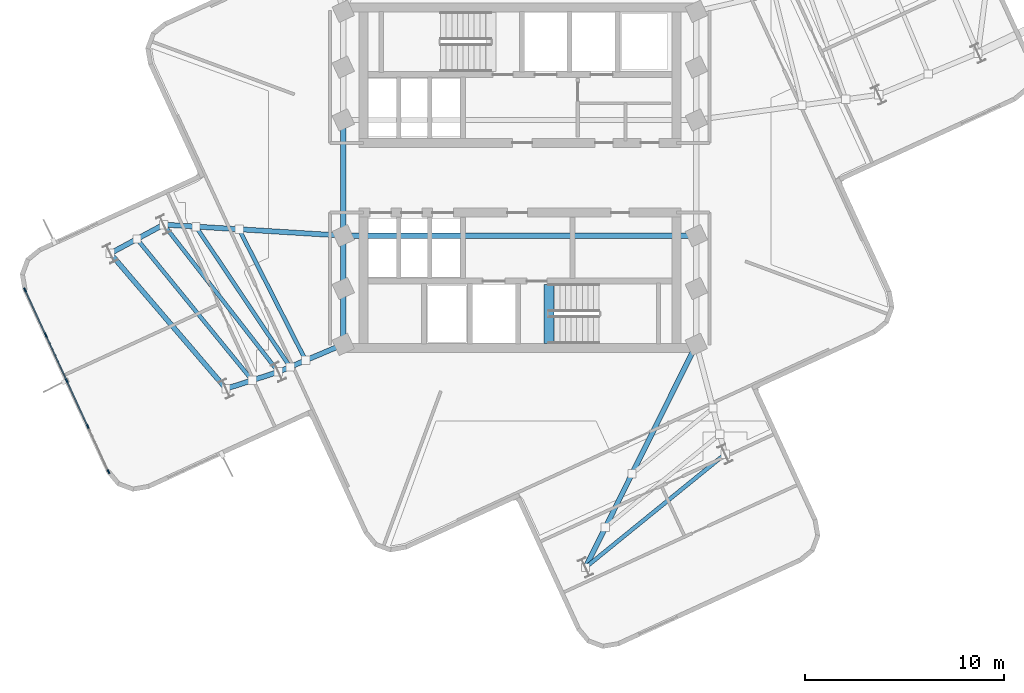
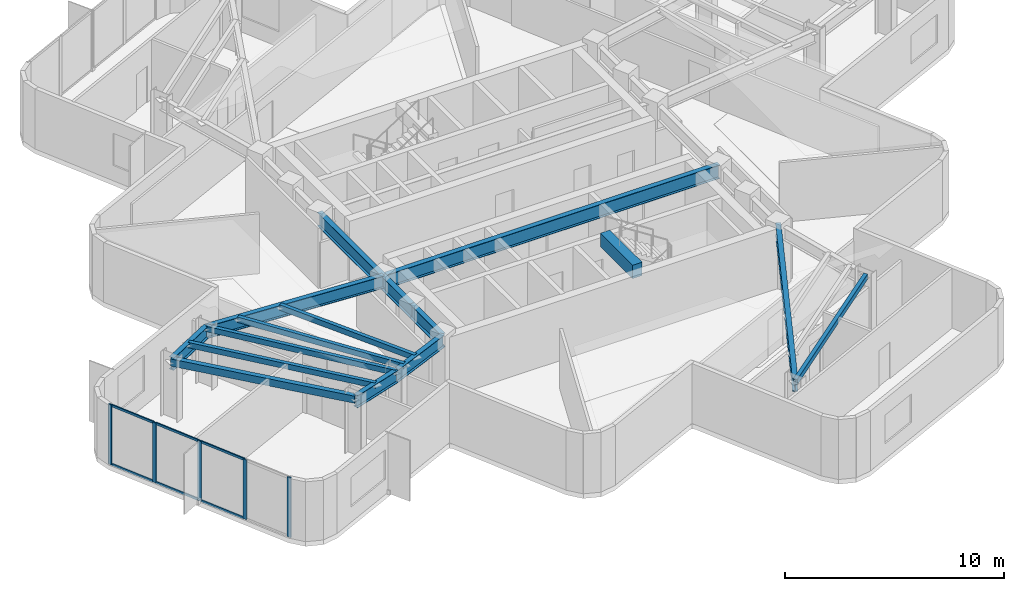
# One storey, part 2 of 11: 16 beams, 11 members, 1 element without a shape of its own.
"""IFC4 building model written with IfcOpenShell, lengths in metres."""

from ifc_helpers import new_model, si_unit, direction, frame, origin, origin_2d, place, context, subcontext, project, spatial, rectangle, hollow_rectangle, i_section, extrude, material, layer, layer_set, material_profile, profile_set, type_object, element, aggregate, save


model = new_model("IFC4")

# Units and contexts
model_context = context("Model", 3, precision=1e-05, world=origin(), true_north=direction((0.0, 1.0)))
body_context = subcontext(model_context, "Body", "Model", "MODEL_VIEW")
ifc_project = project(units=[si_unit("LENGTHUNIT", "METRE"), si_unit("AREAUNIT", "SQUARE_METRE"), si_unit("VOLUMEUNIT", "CUBIC_METRE"), si_unit("PLANEANGLEUNIT", "RADIAN"), si_unit("MASSUNIT", "GRAM", prefix="KILO")], contexts=[model_context])

# Site, building, storey
site_placement = place(None, origin())
site = spatial("IfcSite", under=ifc_project, at=site_placement, CompositionType="ELEMENT")
building_placement = place(site_placement, origin())
building = spatial("IfcBuilding", under=site, at=building_placement, Name="Solmarez Civic Tower", CompositionType="ELEMENT")
storey_placement = place(building_placement, frame((0.0, 0.0, 184.679931640625)))
storey = spatial("IfcBuildingStorey", under=building, at=storey_placement, Name="L49", CompositionType="ELEMENT", Elevation=184.679931640625)

# Beams
ifc_material_1 = material(Name="Steel S355", Category="steel")
ifc_material_profile_1 = material_profile(ifc_material_1, hollow_rectangle(XDim=0.199951171875, YDim=0.300048828125, WallThickness=0.011962890625, at=origin_2d()), Name="HSS300X200X12")
ifc_profile_set_1 = profile_set([ifc_material_profile_1], Name="Steel S355")
beam_type_1 = type_object("IfcBeamType", Name="BM-JS-HSS300X200", PredefinedType="JOIST", material=ifc_profile_set_1)
beam_1_placement = place(storey_placement, frame((-17.85791015625, -2.345947265625, 3.190185546875), z_axis=(0.614476744631, -0.788934934141, 0.0), x_axis=(0.788934934141, 0.614476744631, 0.0)))
element("IfcBeam", 1, at=beam_1_placement, inside=storey, type_object=beam_type_1, Name="L49 Secondary Floor Joist BM-L49-WA-T1", PredefinedType="JOIST", context=body_context, shape_type="SweptSolid", body=[
    extrude(hollow_rectangle(XDim=0.199951171875, YDim=0.300048828125, WallThickness=0.011962890625, at=origin_2d()), origin(), (0.0, 0.0, 1.0), 9.36083984375),
])
beam_2_placement = place(storey_placement, frame((-19.197021484375, -3.06689453125, 3.190185546875), z_axis=(0.632062174253, -0.77491767813, 0.0), x_axis=(0.77491767813, 0.632062174253, 0.0)))
element("IfcBeam", 2, at=beam_2_placement, inside=storey, type_object=beam_type_1, Name="L49 Secondary Floor Joist JS-L49-WA-M2", PredefinedType="JOIST", context=body_context, shape_type="SweptSolid", body=[
    extrude(hollow_rectangle(XDim=0.199951171875, YDim=0.300048828125, WallThickness=0.011962890625, at=origin_2d()), origin(), (0.0, 0.0, 1.0), 9.14306640625),
])
beam_3_placement = place(storey_placement, frame((-14.074951171875, -2.5791015625, 3.190185546875), z_axis=(0.452743410654, -0.891640849282, 0.0), x_axis=(0.891640849282, 0.452743410654, 0.0)))
element("IfcBeam", 3, at=beam_3_placement, inside=storey, type_object=beam_type_1, Name="L49 Secondary Floor Joist JS-L49-WA-M11", PredefinedType="JOIST", context=body_context, shape_type="SweptSolid", body=[
    extrude(hollow_rectangle(XDim=0.199951171875, YDim=0.300048828125, WallThickness=0.011962890625, at=origin_2d()), origin(), (0.0, 0.0, 1.0), 7.370361328125),
])
beam_4_placement = place(storey_placement, frame((-16.237060546875, -2.446044921875, 3.190185546875), z_axis=(0.556859935783, -0.830606412159, 0.0), x_axis=(0.830606412159, 0.556859935783, 0.0)))
element("IfcBeam", 4, at=beam_4_placement, inside=storey, type_object=beam_type_1, Name="L49 Secondary Floor Joist JS-L49-WA-M12", PredefinedType="JOIST", context=body_context, shape_type="SweptSolid", body=[
    extrude(hollow_rectangle(XDim=0.199951171875, YDim=0.300048828125, WallThickness=0.011962890625, at=origin_2d()), origin(), (0.0, 0.0, 1.0), 8.470703125),
])
beam_5_placement = place(storey_placement, frame((3.2900390625, -19.535888671875, 3.190185546875), z_axis=(0.776206737012, 0.630478470225, 0.0), x_axis=(-0.630478470225, 0.776206737012, 0.0)))
element("IfcBeam", 5, at=beam_5_placement, inside=storey, type_object=beam_type_1, Name="L49 Secondary Floor Joist BM-L49-SA-T1", PredefinedType="JOIST", context=body_context, shape_type="SweptSolid", body=[
    extrude(hollow_rectangle(XDim=0.199951171875, YDim=0.300048828125, WallThickness=0.011962890625, at=origin_2d()), origin(), (0.0, 0.0, 1.0), 9.018310546875),
])
ifc_material_2 = material(Name="Concrete C50/60", Category="concrete")
ifc_material_profile_2 = material_profile(ifc_material_2, rectangle(XDim=0.5, YDim=0.75, at=origin_2d()), Name="RC500X750")
ifc_profile_set_2 = profile_set([ifc_material_profile_2], Name="Concrete C50/60")
beam_type_2 = type_object("IfcBeamType", Name="BM-PR-RC500X750", PredefinedType="BEAM", material=ifc_profile_set_2)
beam_6_placement = place(storey_placement, frame((1.449951171875, -8.300048828125, 3.233154296875), z_axis=(0.0, 1.0, 0.0), x_axis=(-1.0, 0.0, 0.0)))
element("IfcBeam", 6, at=beam_6_placement, inside=storey, type_object=beam_type_2, Name="L49 South Stair Threshold Beam", PredefinedType="BEAM", context=body_context, shape_type="SweptSolid", body=[
    extrude(rectangle(XDim=0.5, YDim=0.75, at=origin_2d()), origin(), (0.0, 0.0, 1.0), 2.9599609375),
])
ifc_material_profile_3 = material_profile(ifc_material_1, i_section(OverallWidth=0.25390625, OverallDepth=0.68798828125, WebThickness=0.01318359375, FlangeThickness=0.02099609375, at=origin_2d()), Name="W27X102")
ifc_profile_set_3 = profile_set([ifc_material_profile_3], Name="Steel S355")
beam_type_3 = type_object("IfcBeamType", Name="BM-PR-W27X102", PredefinedType="BEAM", material=ifc_profile_set_3)
beam_7_placement = place(storey_placement, frame((-8.85009765625, -2.89990234375, 2.99609375), z_axis=(-0.998114395047, 0.061381221877, 0.0), x_axis=(-0.061381221877, -0.998114395047, 0.0)))
element("IfcBeam", 7, at=beam_7_placement, inside=storey, type_object=beam_type_3, Name="L49 Primary Floor Beam BM-L49-WA-R1A", PredefinedType="BEAM", context=body_context, shape_type="SweptSolid", body=[
    extrude(i_section(OverallWidth=0.25390625, OverallDepth=0.68798828125, WebThickness=0.01318359375, FlangeThickness=0.02099609375, at=origin_2d()), origin(), (0.0, 0.0, 1.0), 9.02490234375),
])
beam_8_placement = place(storey_placement, frame((-8.85009765625, -8.35009765625, 2.99609375), z_axis=(-0.920623894701, -0.390450566019, 0.0), x_axis=(0.390450566019, -0.920623894701, 0.0)))
element("IfcBeam", 8, at=beam_8_placement, inside=storey, type_object=beam_type_3, Name="L49 Primary Floor Beam BM-L49-WA-R1B", PredefinedType="BEAM", context=body_context, shape_type="SweptSolid", body=[
    extrude(i_section(OverallWidth=0.25390625, OverallDepth=0.68798828125, WebThickness=0.01318359375, FlangeThickness=0.02099609375, at=origin_2d()), origin(), (0.0, 0.0, 1.0), 3.53662109375),
])
beam_9_placement = place(storey_placement, frame((-17.85791015625, -2.345947265625, 2.99609375), z_axis=(-0.880378270924, -0.474272179329, 0.0), x_axis=(0.474272179329, -0.880378270924, 0.0)))
element("IfcBeam", 9, at=beam_9_placement, inside=storey, type_object=beam_type_3, Name="L49 Primary Floor Beam BM-L49-WA-R2A", PredefinedType="BEAM", context=body_context, shape_type="SweptSolid", body=[
    extrude(i_section(OverallWidth=0.25390625, OverallDepth=0.68798828125, WebThickness=0.01318359375, FlangeThickness=0.02099609375, at=origin_2d()), origin(), (0.0, 0.0, 1.0), 3.040771484375),
])
beam_10_placement = place(storey_placement, frame((-12.10595703125, -9.73095703125, 2.99609375), z_axis=(-0.952208998703, -0.305447250421, 0.0), x_axis=(0.305447250421, -0.952208998703, 0.0)))
element("IfcBeam", 10, at=beam_10_placement, inside=storey, type_object=beam_type_3, Name="L49 Primary Floor Beam BM-L49-WA-R2B", PredefinedType="BEAM", context=body_context, shape_type="SweptSolid", body=[
    extrude(i_section(OverallWidth=0.25390625, OverallDepth=0.68798828125, WebThickness=0.01318359375, FlangeThickness=0.02099609375, at=origin_2d()), origin(), (0.0, 0.0, 1.0), 2.7568359375),
])
beam_11_placement = place(storey_placement, frame((8.85009765625, -8.35009765625, 2.99609375), z_axis=(-0.44510935737, -0.895476219663, 0.0), x_axis=(0.895476219663, -0.44510935737, 0.0)))
element("IfcBeam", 11, at=beam_11_placement, inside=storey, type_object=beam_type_3, Name="L49 Primary Floor Beam BM-L49-SA-R1A", PredefinedType="BEAM", context=body_context, shape_type="SweptSolid", body=[
    extrude(i_section(OverallWidth=0.25390625, OverallDepth=0.68798828125, WebThickness=0.01318359375, FlangeThickness=0.02099609375, at=origin_2d()), origin(), (0.0, 0.0, 1.0), 12.491455078125),
])
ifc_material_profile_4 = material_profile(ifc_material_1, i_section(OverallWidth=0.26708984375, OverallDepth=0.761962890625, WebThickness=0.014404296875, FlangeThickness=0.021484375, at=origin_2d()), Name="W30X116")
ifc_profile_set_4 = profile_set([ifc_material_profile_4], Name="Steel S355")
beam_type_4 = type_object("IfcBeamType", Name="BM-PR-W30X116", PredefinedType="BEAM", material=ifc_profile_set_4)
beam_12_placement = place(storey_placement, frame((-8.85009765625, -8.35009765625, 2.958984375), z_axis=(0.0, 1.0, 0.0), x_axis=(-1.0, 0.0, 0.0)))
element("IfcBeam", 12, at=beam_12_placement, inside=storey, type_object=beam_type_4, Name="L49 Primary Floor Beam BM-L49-HC12-HC1", PredefinedType="BEAM", context=body_context, shape_type="SweptSolid", body=[
    extrude(i_section(OverallWidth=0.26708984375, OverallDepth=0.761962890625, WebThickness=0.014404296875, FlangeThickness=0.021484375, at=origin_2d()), origin(), (0.0, 0.0, 1.0), 2.800048828125),
])
beam_13_placement = place(storey_placement, frame((-8.85009765625, -5.550048828125, 2.958984375), z_axis=(0.0, 1.0, 0.0), x_axis=(-1.0, 0.0, 0.0)))
element("IfcBeam", 13, at=beam_13_placement, inside=storey, type_object=beam_type_4, Name="L49 Primary Floor Beam BM-L49-HC1-HC2", PredefinedType="BEAM", context=body_context, shape_type="SweptSolid", body=[
    extrude(i_section(OverallWidth=0.26708984375, OverallDepth=0.761962890625, WebThickness=0.014404296875, FlangeThickness=0.021484375, at=origin_2d()), origin(), (0.0, 0.0, 1.0), 2.650146484375),
])
beam_14_placement = place(storey_placement, frame((-8.85009765625, -2.89990234375, 2.958984375), z_axis=(0.0, 1.0, 0.0), x_axis=(-1.0, 0.0, 0.0)))
element("IfcBeam", 14, at=beam_14_placement, inside=storey, type_object=beam_type_4, Name="L49 Primary Floor Beam BM-L49-HC2-HC3", PredefinedType="BEAM", context=body_context, shape_type="SweptSolid", body=[
    extrude(i_section(OverallWidth=0.26708984375, OverallDepth=0.761962890625, WebThickness=0.014404296875, FlangeThickness=0.021484375, at=origin_2d()), origin(), (0.0, 0.0, 1.0), 5.7998046875),
])
beam_15_placement = place(storey_placement, frame((-8.85009765625, -2.89990234375, 2.958984375), z_axis=(1.0, 0.0, 0.0), x_axis=(0.0, 1.0, 0.0)))
element("IfcBeam", 15, at=beam_15_placement, inside=storey, type_object=beam_type_4, Name="L49 Primary Floor Beam BM-L49-HC2-HC6", PredefinedType="BEAM", context=body_context, shape_type="SweptSolid", body=[
    extrude(i_section(OverallWidth=0.26708984375, OverallDepth=0.761962890625, WebThickness=0.014404296875, FlangeThickness=0.021484375, at=origin_2d()), origin(), (0.0, 0.0, 1.0), 17.7001953125),
])
ifc_material_profile_5 = material_profile(ifc_material_1, hollow_rectangle(XDim=0.25, YDim=0.39990234375, WallThickness=0.01611328125, at=origin_2d()), Name="HSS400X250X16")
ifc_profile_set_5 = profile_set([ifc_material_profile_5], Name="Steel S355")
beam_type_5 = type_object("IfcBeamType", Name="BM-SP-HSS400X250", PredefinedType="SPANDREL", material=ifc_profile_set_5)
beam_16_placement = place(storey_placement, frame((-20.534912109375, -3.7880859375, 3.14013671875), z_axis=(0.650036693718, -0.759902820642, 0.0), x_axis=(0.759902820642, 0.650036693718, 0.0)))
element("IfcBeam", 16, at=beam_16_placement, inside=storey, type_object=beam_type_5, Name="L49 Perimeter Spandrel Beam BM-L49-WA-T2", PredefinedType="SPANDREL", context=body_context, shape_type="SweptSolid", body=[
    extrude(hollow_rectangle(XDim=0.25, YDim=0.39990234375, WallThickness=0.01611328125, at=origin_2d()), origin(), (0.0, 0.0, 1.0), 8.9287109375),
])

# Curtain wall, members
ifc_material_3 = material(Name="Bronze Anodised Aluminium EN AW-6063 T6", Category="aluminium")
ifc_layer = layer(ifc_material_3, 0.2099609375)
ifc_layer_set = layer_set([ifc_layer], Name="Bronze Anodised Aluminium EN AW-6063 T6")
curtain_wall_type = type_object("IfcCurtainWallType", Name="CW-SYS-5", PredefinedType="NOTDEFINED", material=ifc_layer_set)
curtain_wall_placement = place(storey_placement, origin())
curtain_wall = element("IfcCurtainWall", 17, at=curtain_wall_placement, inside=storey, type_object=curtain_wall_type, Name="L49 Stick-Built Curtain Wall 1", PredefinedType="NOTDEFINED")
ifc_material_profile_6 = material_profile(ifc_material_3, rectangle(XDim=0.074951171875, YDim=0.199951171875, at=origin_2d()), Name="CWM-75X200")
ifc_profile_set_6 = profile_set([ifc_material_profile_6], Name="Bronze Anodised Aluminium EN AW-6063 T6")
member_type_1 = type_object("IfcMemberType", Name="CWM-TYPE-1", PredefinedType="MULLION", material=ifc_profile_set_6)
member_1_placement = place(storey_placement, frame((-20.62353515625, -14.72998046875, 0.0), z_axis=(0.0, 0.0, 1.0), x_axis=(-0.908691054064, -0.417469242296, 0.0)))
member_1 = element("IfcMember", 18, at=member_1_placement, type_object=member_type_1, Name="CWS5 mullion 1", PredefinedType="MULLION", context=body_context, shape_type="SweptSolid", body=[
    extrude(rectangle(XDim=0.074951171875, YDim=0.199951171875, at=origin_2d()), origin(), (0.0, 0.0, 1.0), 3.340087890625),
])
member_2_placement = place(storey_placement, frame((-21.662353515625, -12.46923828125, 0.0), z_axis=(0.0, 0.0, 1.0), x_axis=(-0.908691054064, -0.417469242296, 0.0)))
member_2 = element("IfcMember", 19, at=member_2_placement, type_object=member_type_1, Name="CWS5 mullion 2", PredefinedType="MULLION", context=body_context, shape_type="SweptSolid", body=[
    extrude(rectangle(XDim=0.074951171875, YDim=0.199951171875, at=origin_2d()), origin(), (0.0, 0.0, 1.0), 3.340087890625),
])
member_3_placement = place(storey_placement, frame((-22.716552734375, -10.174560546875, 0.0), z_axis=(0.0, 0.0, 1.0), x_axis=(-0.908691054064, -0.417469242296, 0.0)))
member_3 = element("IfcMember", 20, at=member_3_placement, type_object=member_type_1, Name="CWS5 mullion 3", PredefinedType="MULLION", context=body_context, shape_type="SweptSolid", body=[
    extrude(rectangle(XDim=0.074951171875, YDim=0.199951171875, at=origin_2d()), origin(), (0.0, 0.0, 1.0), 3.340087890625),
])
member_4_placement = place(storey_placement, frame((-23.770751953125, -7.879638671875, 0.0), z_axis=(0.0, 0.0, 1.0), x_axis=(-0.908691054064, -0.417469242296, 0.0)))
member_4 = element("IfcMember", 21, at=member_4_placement, type_object=member_type_1, Name="CWS5 mullion 4", PredefinedType="MULLION", context=body_context, shape_type="SweptSolid", body=[
    extrude(rectangle(XDim=0.074951171875, YDim=0.199951171875, at=origin_2d()), origin(), (0.0, 0.0, 1.0), 3.340087890625),
])
member_5_placement = place(storey_placement, frame((-24.809326171875, -5.619140625, 0.0), z_axis=(0.0, 0.0, 1.0), x_axis=(-0.908691054064, -0.417469242296, 0.0)))
member_5 = element("IfcMember", 22, at=member_5_placement, type_object=member_type_1, Name="CWS5 mullion 5", PredefinedType="MULLION", context=body_context, shape_type="SweptSolid", body=[
    extrude(rectangle(XDim=0.074951171875, YDim=0.199951171875, at=origin_2d()), origin(), (0.0, 0.0, 1.0), 3.340087890625),
])
ifc_material_profile_7 = material_profile(ifc_material_3, rectangle(XDim=0.06494140625, YDim=0.125, at=origin_2d()), Name="CWT-65X125")
ifc_profile_set_7 = profile_set([ifc_material_profile_7], Name="Bronze Anodised Aluminium EN AW-6063 T6")
member_type_2 = type_object("IfcMemberType", Name="CWT-TYPE-2", PredefinedType="USERDEFINED", material=ifc_profile_set_7)
member_6_placement = place(storey_placement, frame((-21.677978515625, -12.43505859375, 0.032470703125), z_axis=(-0.417477936448, 0.908687059762, 0.0), x_axis=(-0.908687059762, -0.417477936448, 0.0)))
member_6 = element("IfcMember", 23, at=member_6_placement, type_object=member_type_2, Name="CWS5 transom 2.1", ObjectType="TRANSOM", PredefinedType="USERDEFINED", context=body_context, shape_type="SweptSolid", body=[
    extrude(rectangle(XDim=0.06494140625, YDim=0.125, at=origin_2d()), origin(), (0.0, 0.0, 1.0), 2.4501953125),
])
member_7_placement = place(storey_placement, frame((-21.677978515625, -12.43505859375, 3.3076171875), z_axis=(-0.417477936448, 0.908687059762, 0.0), x_axis=(-0.908687059762, -0.417477936448, 0.0)))
member_7 = element("IfcMember", 24, at=member_7_placement, type_object=member_type_2, Name="CWS5 transom 2.2", ObjectType="TRANSOM", PredefinedType="USERDEFINED", context=body_context, shape_type="SweptSolid", body=[
    extrude(rectangle(XDim=0.06494140625, YDim=0.125, at=origin_2d()), origin(), (0.0, 0.0, 1.0), 2.4501953125),
])
member_8_placement = place(storey_placement, frame((-22.732177734375, -10.140380859375, 0.032470703125), z_axis=(-0.417477936448, 0.908687059762, 0.0), x_axis=(-0.908687059762, -0.417477936448, 0.0)))
member_8 = element("IfcMember", 25, at=member_8_placement, type_object=member_type_2, Name="CWS5 transom 3.1", ObjectType="TRANSOM", PredefinedType="USERDEFINED", context=body_context, shape_type="SweptSolid", body=[
    extrude(rectangle(XDim=0.06494140625, YDim=0.125, at=origin_2d()), origin(), (0.0, 0.0, 1.0), 2.4501953125),
])
member_9_placement = place(storey_placement, frame((-22.732177734375, -10.140380859375, 3.3076171875), z_axis=(-0.417477936448, 0.908687059762, 0.0), x_axis=(-0.908687059762, -0.417477936448, 0.0)))
member_9 = element("IfcMember", 26, at=member_9_placement, type_object=member_type_2, Name="CWS5 transom 3.2", ObjectType="TRANSOM", PredefinedType="USERDEFINED", context=body_context, shape_type="SweptSolid", body=[
    extrude(rectangle(XDim=0.06494140625, YDim=0.125, at=origin_2d()), origin(), (0.0, 0.0, 1.0), 2.4501953125),
])
member_10_placement = place(storey_placement, frame((-23.786376953125, -7.845703125, 0.032470703125), z_axis=(-0.417466302394, 0.908692404703, 0.0), x_axis=(-0.908692404703, -0.417466302394, 0.0)))
member_10 = element("IfcMember", 27, at=member_10_placement, type_object=member_type_2, Name="CWS5 transom 4.1", ObjectType="TRANSOM", PredefinedType="USERDEFINED", context=body_context, shape_type="SweptSolid", body=[
    extrude(rectangle(XDim=0.06494140625, YDim=0.125, at=origin_2d()), origin(), (0.0, 0.0, 1.0), 2.412841796875),
])
member_11_placement = place(storey_placement, frame((-23.786376953125, -7.845703125, 3.3076171875), z_axis=(-0.417466302394, 0.908692404703, 0.0), x_axis=(-0.908692404703, -0.417466302394, 0.0)))
member_11 = element("IfcMember", 28, at=member_11_placement, type_object=member_type_2, Name="CWS5 transom 4.2", ObjectType="TRANSOM", PredefinedType="USERDEFINED", context=body_context, shape_type="SweptSolid", body=[
    extrude(rectangle(XDim=0.06494140625, YDim=0.125, at=origin_2d()), origin(), (0.0, 0.0, 1.0), 2.412841796875),
])
aggregate(curtain_wall, [member_1, member_2, member_3, member_4, member_5, member_6, member_7, member_8, member_9, member_10, member_11])

save(model, "model.ifc")
